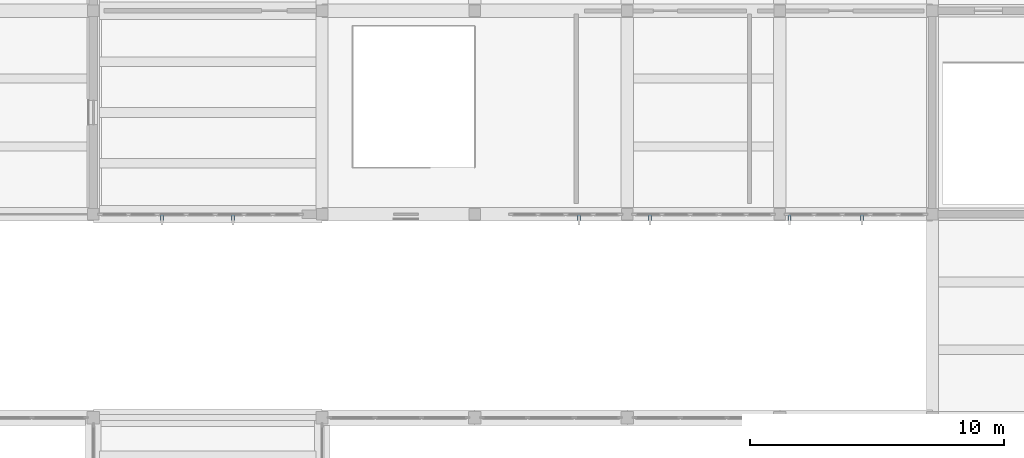
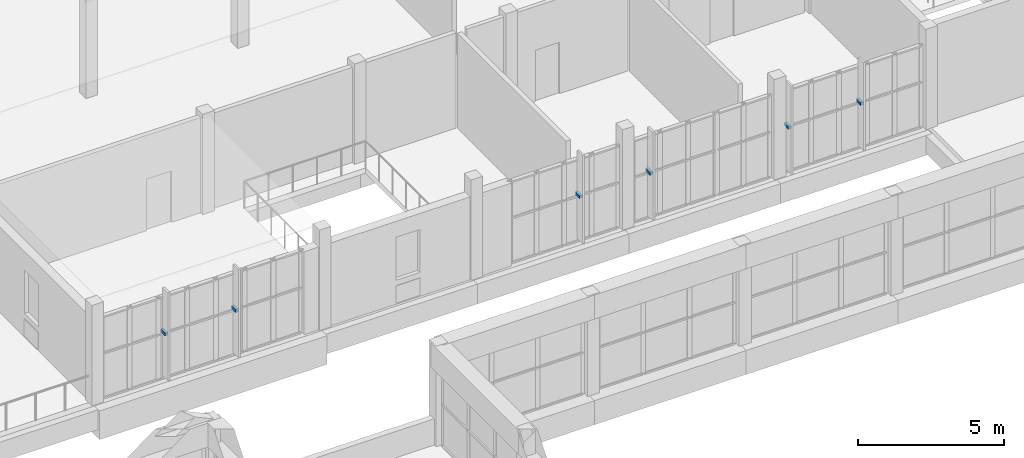
# One storey, part 61 of 70: 6 discrete accessories.
"""IFC4 building model written with IfcOpenShell, lengths in metres."""

from ifc_helpers import new_model, si_unit, direction, frame, origin, origin_2d, place, context, subcontext, project, spatial, rectangle, extrude, material, type_object, element, save


model = new_model("IFC4")

# Units and contexts
model_context = context("Model", 3, precision=1e-05, world=origin(), true_north=direction((0.0, 1.0)))
body_context = subcontext(model_context, "Body", "Model", "MODEL_VIEW")
ifc_project = project(units=[si_unit("LENGTHUNIT", "METRE"), si_unit("AREAUNIT", "SQUARE_METRE"), si_unit("VOLUMEUNIT", "CUBIC_METRE"), si_unit("PLANEANGLEUNIT", "RADIAN"), si_unit("MASSUNIT", "GRAM", prefix="KILO")], contexts=[model_context])

# Site, building, storey
site_placement = place(None, origin())
site = spatial("IfcSite", under=ifc_project, at=site_placement, CompositionType="ELEMENT")
building_placement = place(site_placement, origin())
building = spatial("IfcBuilding", under=site, at=building_placement, Name="Solvane Community Centre", CompositionType="ELEMENT")
storey_placement = place(building_placement, frame((0.0, 0.0, 9.60009765625)))
storey = spatial("IfcBuildingStorey", under=building, at=storey_placement, Name="L02", CompositionType="ELEMENT", Elevation=9.60009765625)

# Discrete accessories
ifc_material = material(Name="Steel ASTM A572 Grade 50", Category="steel")
discrete_accessory_type = type_object("IfcDiscreteAccessoryType", Name="Fin Mounting Bracket 120x120", PredefinedType="BRACKET", material=ifc_material)
for number, where, z_axis, x_axis, name in (
    (1, (57.22802734375, 85.89990234375, 1.929931640625), (0.0, 0.0, 1.0), (-1.0, 0.0, 0.0), "Fin Bracket 95"),
    (2, (54.3720703125, 85.89990234375, 1.929931640625), (0.0, 0.0, 1.0), (-1.0, 0.0, 0.0), "Fin Bracket 96"),
    (3, (48.89404296875, 85.89990234375, 1.929931640625), (0.0, 0.0, 1.0), (-1.0, 0.0, 0.0), "Fin Bracket 97"),
    (4, (46.10595703125, 85.89990234375, 1.929931640625), (0.0, 0.0, 1.0), (-1.0, 0.0, 0.0), "Fin Bracket 98"),
    (5, (32.493896484375, 85.89990234375, 1.929931640625), (0.0, 0.0, 1.0), (-1.0, 0.0, 0.0), "Fin Bracket 99"),
    (6, (29.7060546875, 85.89990234375, 1.929931640625), (0.0, 0.0, 1.0), (-1.0, 0.0, 0.0), "Fin Bracket 100"),
):
    element("IfcDiscreteAccessory", number, at=place(storey_placement, frame(where, z_axis=z_axis, x_axis=x_axis)), inside=storey, type_object=discrete_accessory_type, Name=name, PredefinedType="BRACKET", context=body_context, shape_type="SweptSolid", body=[
        extrude(rectangle(XDim=0.1201171875, YDim=0.300048828125, at=origin_2d()), origin(), (0.0, 0.0, 1.0), 0.1201171875),
    ])

save(model, "model.ifc")
